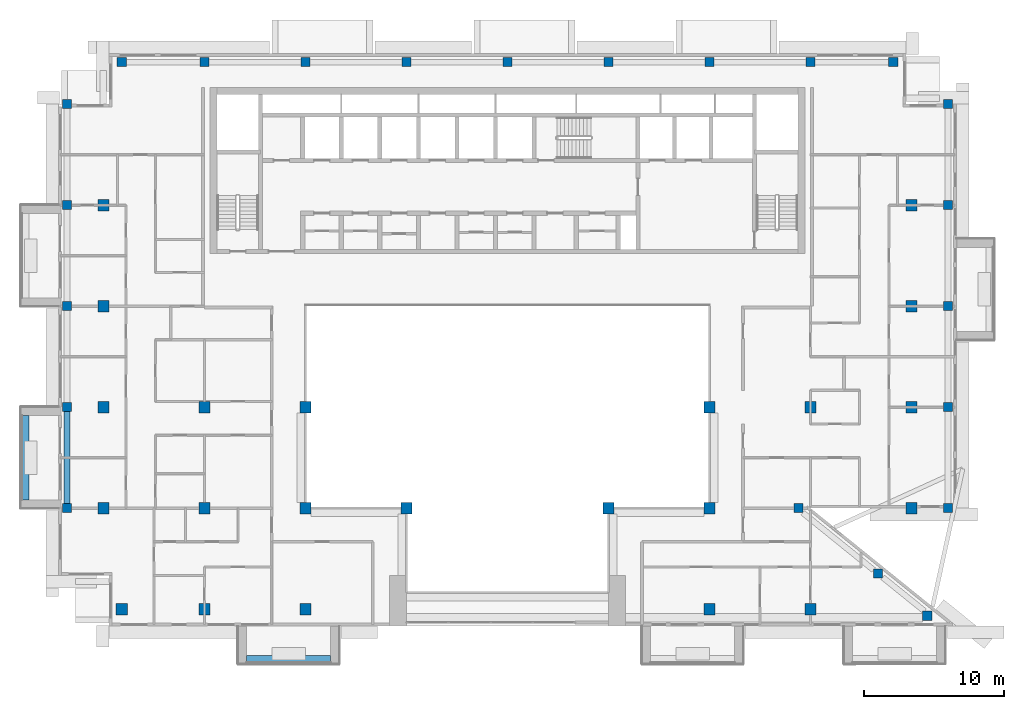
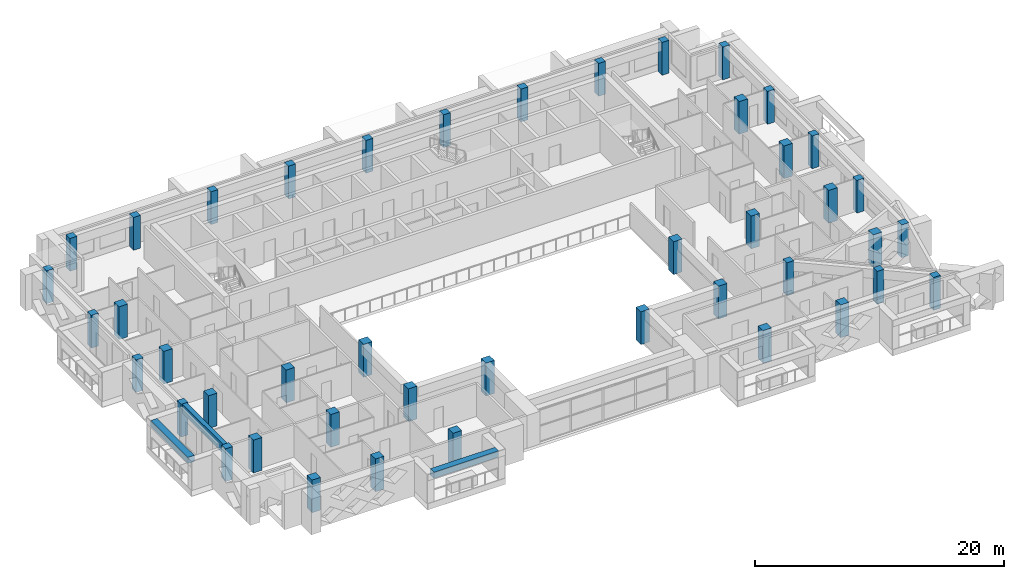
# One storey, part 1 of 19: 44 columns, 3 beams.
"""IFC4 building model written with IfcOpenShell, lengths in metres."""

from ifc_helpers import new_model, si_unit, direction, frame, origin, origin_2d, place, context, subcontext, project, spatial, rectangle, extrude, source, transform, mapped, material, material_profile, profile_set, type_object, element, save


model = new_model("IFC4")

# Units and contexts
model_context = context("Model", 3, precision=1e-05, world=origin(), true_north=direction((0.0, 1.0)))
body_context = subcontext(model_context, "Body", "Model", "MODEL_VIEW")
ifc_project = project(units=[si_unit("LENGTHUNIT", "METRE"), si_unit("AREAUNIT", "SQUARE_METRE"), si_unit("VOLUMEUNIT", "CUBIC_METRE"), si_unit("PLANEANGLEUNIT", "RADIAN"), si_unit("MASSUNIT", "GRAM", prefix="KILO")], contexts=[model_context])

# Site, building, storey
site_placement = place(None, origin())
site = spatial("IfcSite", under=ifc_project, at=site_placement, CompositionType="ELEMENT")
building_placement = place(site_placement, origin())
building = spatial("IfcBuilding", under=site, at=building_placement, Name="Saffron Iwan Residences", CompositionType="ELEMENT")
storey_placement = place(building_placement, frame((0.0, 0.0, 246.5)))
storey = spatial("IfcBuildingStorey", under=building, at=storey_placement, Name="L66", CompositionType="ELEMENT", Elevation=246.5)

# Columns
ifc_material_1 = material(Name="Concrete C40/50", Category="concrete")
ifc_material_profile_1 = material_profile(ifc_material_1, rectangle(XDim=0.64990234375, YDim=0.64990234375, at=origin_2d()), Name="RC 650x650")
ifc_profile_set_1 = profile_set([ifc_material_profile_1], Name="Concrete C40/50")
column_type_1 = type_object("IfcColumnType", Name="COL RC 650x650 C40/50 3220 HIGH", PredefinedType="COLUMN", material=ifc_profile_set_1)
shared_shape_1 = source(origin(), body_context, "Body", "SweptSolid", [
    extrude(rectangle(XDim=0.64990234375, YDim=0.64990234375, at=origin_2d()), origin(), (0.0, 0.0, 1.0), 3.219970703125),
])
for number, where, z_axis, x_axis, name in (
    (1, (80.32568359375, 40.3330078125, 0.0), (0.0, 0.0, 1.0), (1.0, 0.0, 0.0), "Column C046"),
    (2, (76.822998046875, 43.333251953125, 0.0), (0.0, 0.0, 1.0), (1.0, 0.0, 0.0), "Column C057"),
    (3, (19.0, 48.0, 0.0), (0.0, 0.0, 1.0), (1.0, 0.0, 0.0), "Column C062"),
    (4, (71.14990234375, 48.0, 0.0), (0.0, 0.0, 1.0), (1.0, 0.0, 0.0), "Column C070"),
    (5, (81.800048828125, 48.0, 0.0), (0.0, 0.0, 1.0), (1.0, 0.0, 0.0), "Column C073"),
    (6, (19.0, 55.199951171875, 0.0), (0.0, 0.0, 1.0), (1.0, 0.0, 0.0), "Column C078"),
    (7, (81.800048828125, 55.199951171875, 0.0), (0.0, 0.0, 1.0), (1.0, 0.0, 0.0), "Column C085"),
    (8, (19.0, 62.39990234375, 0.0), (0.0, 0.0, 1.0), (1.0, 0.0, 0.0), "Column C090"),
    (9, (81.800048828125, 62.39990234375, 0.0), (0.0, 0.0, 1.0), (1.0, 0.0, 0.0), "Column C093"),
    (10, (19.0, 69.60009765625, 0.0), (0.0, 0.0, 1.0), (1.0, 0.0, 0.0), "Column C098"),
    (11, (81.800048828125, 69.60009765625, 0.0), (0.0, 0.0, 1.0), (1.0, 0.0, 0.0), "Column C101"),
    (12, (19.0, 76.800048828125, 0.0), (0.0, 0.0, 1.0), (1.0, 0.0, 0.0), "Column C106"),
    (13, (81.800048828125, 76.800048828125, 0.0), (0.0, 0.0, 1.0), (1.0, 0.0, 0.0), "Column C109"),
    (14, (22.89990234375, 79.800048828125, 0.0), (0.0, 0.0, 1.0), (1.0, 0.0, 0.0), "Column C114"),
    (15, (28.800048828125, 79.800048828125, 0.0), (0.0, 0.0, 1.0), (1.0, 0.0, 0.0), "Column C115"),
    (16, (36.0, 79.800048828125, 0.0), (0.0, 0.0, 1.0), (1.0, 0.0, 0.0), "Column C116"),
    (17, (43.199951171875, 79.800048828125, 0.0), (0.0, 0.0, 1.0), (1.0, 0.0, 0.0), "Column C117"),
    (18, (50.39990234375, 79.800048828125, 0.0), (0.0, 0.0, 1.0), (1.0, 0.0, 0.0), "Column C118"),
    (19, (57.60009765625, 79.800048828125, 0.0), (0.0, 0.0, 1.0), (1.0, 0.0, 0.0), "Column C119"),
    (20, (64.800048828125, 79.800048828125, 0.0), (0.0, 0.0, 1.0), (1.0, 0.0, 0.0), "Column C120"),
    (21, (72.0, 79.800048828125, 0.0), (0.0, 0.0, 1.0), (1.0, 0.0, 0.0), "Column C121"),
    (22, (77.89990234375, 79.800048828125, 0.0), (0.0, 0.0, 1.0), (1.0, 0.0, 0.0), "Column C122"),
):
    element("IfcColumn", number, at=place(storey_placement, frame(where, z_axis=z_axis, x_axis=x_axis)), inside=storey, type_object=column_type_1, Name=name, PredefinedType="COLUMN", context=body_context, shape_type="MappedRepresentation", body=[
        mapped(shared_shape_1, transform((0.0, 0.0, 0.0))),
    ])
ifc_material_profile_2 = material_profile(ifc_material_1, rectangle(XDim=0.800048828125, YDim=0.800048828125, at=origin_2d()), Name="RC 800x800")
ifc_profile_set_2 = profile_set([ifc_material_profile_2], Name="Concrete C40/50")
column_type_2 = type_object("IfcColumnType", Name="COL RC 800x800 C40/50 3220 HIGH", PredefinedType="COLUMN", material=ifc_profile_set_2)
shared_shape_2 = source(origin(), body_context, "Body", "SweptSolid", [
    extrude(rectangle(XDim=0.800048828125, YDim=0.800048828125, at=origin_2d()), origin(), (0.0, 0.0, 1.0), 3.219970703125),
])
for number, where, z_axis, x_axis, name in (
    (23, (22.89990234375, 40.800048828125, 0.0), (0.0, 0.0, 1.0), (1.0, 0.0, 0.0), "Column C050"),
    (24, (28.800048828125, 40.800048828125, 0.0), (0.0, 0.0, 1.0), (1.0, 0.0, 0.0), "Column C051"),
    (25, (36.0, 40.800048828125, 0.0), (0.0, 0.0, 1.0), (1.0, 0.0, 0.0), "Column C052"),
    (26, (64.800048828125, 40.800048828125, 0.0), (0.0, 0.0, 1.0), (1.0, 0.0, 0.0), "Column C055"),
    (27, (72.0, 40.800048828125, 0.0), (0.0, 0.0, 1.0), (1.0, 0.0, 0.0), "Column C056"),
    (28, (21.60009765625, 48.0, 0.0), (0.0, 0.0, 1.0), (1.0, 0.0, 0.0), "Column C063"),
    (29, (28.800048828125, 48.0, 0.0), (0.0, 0.0, 1.0), (1.0, 0.0, 0.0), "Column C064"),
    (30, (36.0, 48.0, 0.0), (0.0, 0.0, 1.0), (1.0, 0.0, 0.0), "Column C065"),
    (31, (43.199951171875, 48.0, 0.0), (0.0, 0.0, 1.0), (1.0, 0.0, 0.0), "Column C066"),
    (32, (57.60009765625, 48.0, 0.0), (0.0, 0.0, 1.0), (1.0, 0.0, 0.0), "Column C068"),
    (33, (64.800048828125, 48.0, 0.0), (0.0, 0.0, 1.0), (1.0, 0.0, 0.0), "Column C069"),
    (34, (79.199951171875, 48.0, 0.0), (0.0, 0.0, 1.0), (1.0, 0.0, 0.0), "Column C072"),
    (35, (21.60009765625, 55.199951171875, 0.0), (0.0, 0.0, 1.0), (1.0, 0.0, 0.0), "Column C079"),
    (36, (28.800048828125, 55.199951171875, 0.0), (0.0, 0.0, 1.0), (1.0, 0.0, 0.0), "Column C080"),
    (37, (36.0, 55.199951171875, 0.0), (0.0, 0.0, 1.0), (1.0, 0.0, 0.0), "Column C081"),
    (38, (64.800048828125, 55.199951171875, 0.0), (0.0, 0.0, 1.0), (1.0, 0.0, 0.0), "Column C082"),
    (39, (72.0, 55.199951171875, 0.0), (0.0, 0.0, 1.0), (1.0, 0.0, 0.0), "Column C083"),
    (40, (79.199951171875, 55.199951171875, 0.0), (0.0, 0.0, 1.0), (1.0, 0.0, 0.0), "Column C084"),
    (41, (21.60009765625, 62.39990234375, 0.0), (0.0, 0.0, 1.0), (1.0, 0.0, 0.0), "Column C091"),
    (42, (79.199951171875, 62.39990234375, 0.0), (0.0, 0.0, 1.0), (1.0, 0.0, 0.0), "Column C092"),
    (43, (21.60009765625, 69.60009765625, 0.0), (0.0, 0.0, 1.0), (1.0, 0.0, 0.0), "Column C099"),
    (44, (79.199951171875, 69.60009765625, 0.0), (0.0, 0.0, 1.0), (1.0, 0.0, 0.0), "Column C100"),
):
    element("IfcColumn", number, at=place(storey_placement, frame(where, z_axis=z_axis, x_axis=x_axis)), inside=storey, type_object=column_type_2, Name=name, PredefinedType="COLUMN", context=body_context, shape_type="MappedRepresentation", body=[
        mapped(shared_shape_2, transform((0.0, 0.0, 0.0))),
    ])

# Beams
ifc_material_profile_3 = material_profile(ifc_material_1, rectangle(XDim=0.39990234375, YDim=0.89990234375, at=origin_2d()), Name="RC 400x900")
ifc_profile_set_3 = profile_set([ifc_material_profile_3], Name="Concrete C40/50")
beam_type_1 = type_object("IfcBeamType", Name="SPANDREL BEAM RC 400x900 C40/50 TOP 3220", PredefinedType="SPANDREL", material=ifc_profile_set_3)
shared_shape_3 = source(origin(), body_context, "Body", "SweptSolid", [
    extrude(rectangle(XDim=0.39990234375, YDim=0.89990234375, at=origin_2d()), origin(), (0.0, 0.0, 1.0), 6.550048828125),
])
beam_placement = place(storey_placement, frame((19.0, 48.324951171875, 2.77001953125), z_axis=(0.0, 1.0, 0.0), x_axis=(-1.0, 0.0, 0.0)))
element("IfcBeam", 45, at=beam_placement, inside=storey, type_object=beam_type_1, Name="Spandrel beam", PredefinedType="SPANDREL", context=body_context, shape_type="MappedRepresentation", body=[
    mapped(shared_shape_3, transform((0.0, 0.0, 0.0))),
])
ifc_material_2 = material(Name="Concrete C50/60 white painted", Category="concrete")
ifc_material_profile_4 = material_profile(ifc_material_2, rectangle(XDim=0.60009765625, YDim=0.60009765625, at=origin_2d()), Name="BALCONY FASCIA BEAM 600 x 600")
ifc_profile_set_4 = profile_set([ifc_material_profile_4], Name="Concrete C50/60 white painted")
beam_type_2 = type_object("IfcBeamType", Name="BALCONY FASCIA BEAM 600 x 600", PredefinedType="BEAM", material=ifc_profile_set_4)
shared_shape_4 = source(origin(), body_context, "Body", "SweptSolid", [
    extrude(rectangle(XDim=0.60009765625, YDim=0.60009765625, at=origin_2d()), origin(), (0.0, 0.0, 1.0), 6.0),
])
for number, where, z_axis, x_axis, name in (
    (46, (16.0, 54.60009765625, 2.550048828125), (0.0, -1.0, 0.0), (1.0, 0.0, 0.0), "Balcony fascia beam L66 F8-1"),
    (47, (31.800048828125, 37.199951171875, 2.550048828125), (1.0, 0.0, 0.0), (0.0, 1.0, 0.0), "Balcony fascia beam L66 11-0"),
):
    element("IfcBeam", number, at=place(storey_placement, frame(where, z_axis=z_axis, x_axis=x_axis)), inside=storey, type_object=beam_type_2, Name=name, PredefinedType="BEAM", context=body_context, shape_type="MappedRepresentation", body=[
        mapped(shared_shape_4, transform((0.0, 0.0, 0.0))),
    ])

save(model, "model.ifc")
